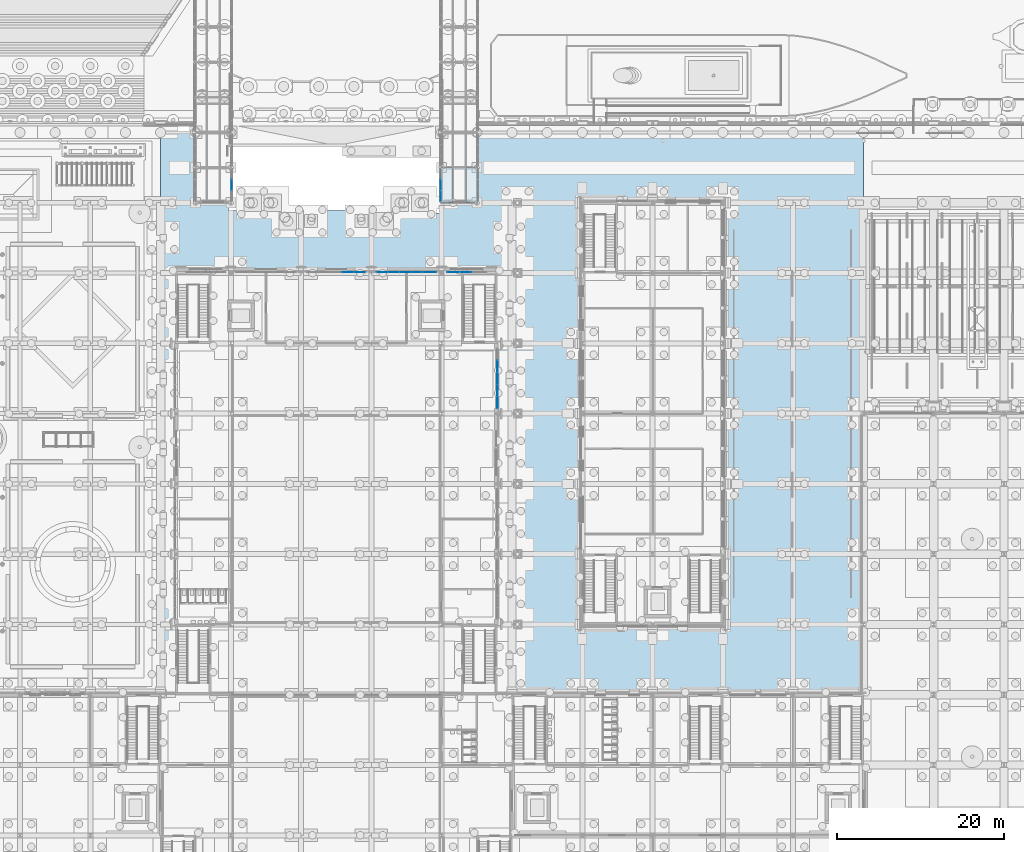
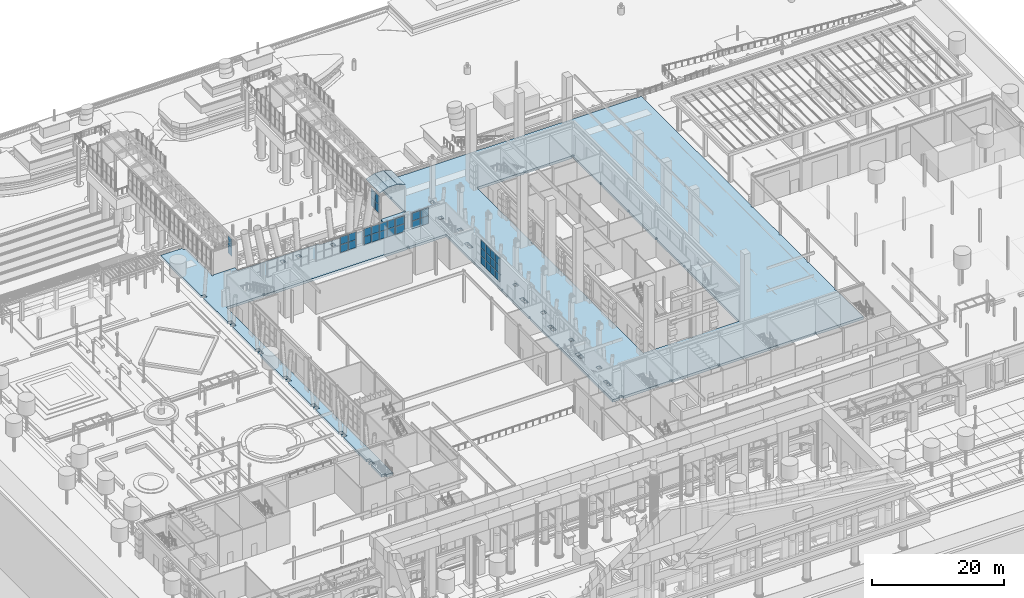
# One storey, part 80 of 222: 36 plates, 4 slabs, 7 elements without a shape of their own.
"""IFC4 building model written with IfcOpenShell, lengths in metres."""

from ifc_helpers import new_model, si_unit, direction, frame, origin, origin_2d, place, context, subcontext, project, spatial, polyline, rectangle, outline, extrude, material, layer, layer_set, type_object, element, aggregate, save


model = new_model("IFC4")

# Units and contexts
model_context = context("Model", 3, precision=1e-05, world=origin(), true_north=direction((0.0, 1.0)))
body_context = subcontext(model_context, "Body", "Model", "MODEL_VIEW")
ifc_project = project(units=[si_unit("LENGTHUNIT", "METRE"), si_unit("AREAUNIT", "SQUARE_METRE"), si_unit("VOLUMEUNIT", "CUBIC_METRE"), si_unit("PLANEANGLEUNIT", "RADIAN"), si_unit("MASSUNIT", "GRAM", prefix="KILO")], contexts=[model_context])

# Site, building, storey
site_placement = place(None, origin())
site = spatial("IfcSite", under=ifc_project, at=site_placement, CompositionType="ELEMENT")
building_placement = place(site_placement, origin())
building = spatial("IfcBuilding", under=site, at=building_placement, Name="Sava Quay Ferry Terminal", CompositionType="ELEMENT")
storey_placement = place(building_placement, origin())
storey = spatial("IfcBuildingStorey", under=building, at=storey_placement, Name="L00", CompositionType="ELEMENT", Elevation=0.0)

# Curtain wall, plates
ifc_material_1 = material(Name="Aluminium and glass curtain wall, double glazed", Category="aluminium")
curtain_wall_type_1 = type_object("IfcCurtainWallType", Name="Curtain wall CW-B gallery", PredefinedType="NOTDEFINED", material=ifc_material_1)
curtain_wall_1_placement = place(storey_placement, origin())
curtain_wall_1 = element("IfcCurtainWall", 1, at=curtain_wall_1_placement, inside=storey, type_object=curtain_wall_type_1, Name="Curtain wall B1-E L00 bay 1", PredefinedType="NOTDEFINED")
ifc_material_2 = material(Name="Laminated glass, double glazed unit", Category="glass")
ifc_layer_1 = layer(ifc_material_2, 0.02392578125)
ifc_layer_set_1 = layer_set([ifc_layer_1], Name="Laminated glass, double glazed unit")
plate_type_1 = type_object("IfcPlateType", Name="Glass panel 24 double", PredefinedType="CURTAIN_PANEL", material=ifc_layer_set_1)
plate_1_placement = place(storey_placement, frame((50.5, 111.300048828125, 0.9501953125), z_axis=(0.0, 0.0, 1.0), x_axis=(0.0, 1.0, 0.0)))
plate_1 = element("IfcPlate", 2, at=plate_1_placement, type_object=plate_type_1, Name="CW1 panel 2.1", PredefinedType="CURTAIN_PANEL", context=body_context, shape_type="SweptSolid", body=[
    extrude(rectangle(XDim=1.25, YDim=0.02392578125, at=origin_2d()), origin(), (0.0, 0.0, 1.0), 1.574951171875),
])
plate_2_placement = place(storey_placement, frame((50.5, 111.300048828125, 2.5751953125), z_axis=(0.0, 0.0, 1.0), x_axis=(0.0, 1.0, 0.0)))
plate_2 = element("IfcPlate", 3, at=plate_2_placement, type_object=plate_type_1, Name="CW1 panel 2.2", PredefinedType="CURTAIN_PANEL", context=body_context, shape_type="SweptSolid", body=[
    extrude(rectangle(XDim=1.25, YDim=0.02392578125, at=origin_2d()), origin(), (0.0, 0.0, 1.0), 1.574951171875),
])
aggregate(curtain_wall_1, [plate_1, plate_2])

curtain_wall_2_placement = place(storey_placement, origin())
curtain_wall_2 = element("IfcCurtainWall", 4, at=curtain_wall_2_placement, inside=storey, type_object=curtain_wall_type_1, Name="Curtain wall B2-W L00 bay 1", PredefinedType="NOTDEFINED")
plate_3_placement = place(storey_placement, frame((75.5, 110.012451171875, 0.9501953125), z_axis=(0.0, 0.0, 1.0), x_axis=(0.0, 1.0, 0.0)))
plate_3 = element("IfcPlate", 5, at=plate_3_placement, type_object=plate_type_1, Name="CW31 panel 1.1", PredefinedType="CURTAIN_PANEL", context=body_context, shape_type="SweptSolid", body=[
    extrude(rectangle(XDim=1.22509765625, YDim=0.02392578125, at=origin_2d()), origin(), (0.0, 0.0, 1.0), 1.574951171875),
])
plate_4_placement = place(storey_placement, frame((75.5, 110.012451171875, 2.5751953125), z_axis=(0.0, 0.0, 1.0), x_axis=(0.0, 1.0, 0.0)))
plate_4 = element("IfcPlate", 6, at=plate_4_placement, type_object=plate_type_1, Name="CW31 panel 1.2", PredefinedType="CURTAIN_PANEL", context=body_context, shape_type="SweptSolid", body=[
    extrude(rectangle(XDim=1.22509765625, YDim=0.02392578125, at=origin_2d()), origin(), (0.0, 0.0, 1.0), 1.574951171875),
])
plate_5_placement = place(storey_placement, frame((75.5, 111.300048828125, 0.9501953125), z_axis=(0.0, 0.0, 1.0), x_axis=(0.0, 1.0, 0.0)))
plate_5 = element("IfcPlate", 7, at=plate_5_placement, type_object=plate_type_1, Name="CW31 panel 2.1", PredefinedType="CURTAIN_PANEL", context=body_context, shape_type="SweptSolid", body=[
    extrude(rectangle(XDim=1.25, YDim=0.02392578125, at=origin_2d()), origin(), (0.0, 0.0, 1.0), 1.574951171875),
])
plate_6_placement = place(storey_placement, frame((75.5, 111.300048828125, 2.5751953125), z_axis=(0.0, 0.0, 1.0), x_axis=(0.0, 1.0, 0.0)))
plate_6 = element("IfcPlate", 8, at=plate_6_placement, type_object=plate_type_1, Name="CW31 panel 2.2", PredefinedType="CURTAIN_PANEL", context=body_context, shape_type="SweptSolid", body=[
    extrude(rectangle(XDim=1.25, YDim=0.02392578125, at=origin_2d()), origin(), (0.0, 0.0, 1.0), 1.574951171875),
])
aggregate(curtain_wall_2, [plate_3, plate_4, plate_5, plate_6])

ifc_material_3 = material(Name="Aluminium and glass curtain wall, double low-e glazed", Category="aluminium")
curtain_wall_type_2 = type_object("IfcCurtainWallType", Name="Curtain wall CW-F flank", PredefinedType="NOTDEFINED", material=ifc_material_3)
curtain_wall_3_placement = place(storey_placement, origin())
curtain_wall_3 = element("IfcCurtainWall", 9, at=curtain_wall_3_placement, inside=storey, type_object=curtain_wall_type_2, Name="Curtain wall D-E L00 bay 5", PredefinedType="NOTDEFINED")
ifc_material_4 = material(Name="Laminated glass, double low-e glazed unit", Category="glass")
ifc_layer_2 = layer(ifc_material_4, 0.028076171875)
ifc_layer_set_2 = layer_set([ifc_layer_2], Name="Laminated glass, double low-e glazed unit")
plate_type_2 = type_object("IfcPlateType", Name="Glass panel 28 double low-e", PredefinedType="CURTAIN_PANEL", material=ifc_layer_set_2)
plate_7_placement = place(storey_placement, frame((82.27490234375, 85.3349609375, 0.9501953125), z_axis=(0.0, 0.0, 1.0), x_axis=(0.0, 1.0, 0.0)))
plate_7 = element("IfcPlate", 10, at=plate_7_placement, type_object=plate_type_2, Name="CW51 panel 1.1", PredefinedType="CURTAIN_PANEL", context=body_context, shape_type="SweptSolid", body=[
    extrude(rectangle(XDim=1.35009765625, YDim=0.028076171875, at=origin_2d()), origin(), (0.0, 0.0, 1.0), 1.425048828125),
])
plate_8_placement = place(storey_placement, frame((82.27490234375, 85.3349609375, 2.4248046875), z_axis=(0.0, 0.0, 1.0), x_axis=(0.0, 1.0, 0.0)))
plate_8 = element("IfcPlate", 11, at=plate_8_placement, type_object=plate_type_2, Name="CW51 panel 1.2", PredefinedType="CURTAIN_PANEL", context=body_context, shape_type="SweptSolid", body=[
    extrude(rectangle(XDim=1.35009765625, YDim=0.028076171875, at=origin_2d()), origin(), (0.0, 0.0, 1.0), 1.449951171875),
])
plate_9_placement = place(storey_placement, frame((82.27490234375, 85.3349609375, 3.9248046875), z_axis=(0.0, 0.0, 1.0), x_axis=(0.0, 1.0, 0.0)))
plate_9 = element("IfcPlate", 12, at=plate_9_placement, type_object=plate_type_2, Name="CW51 panel 1.3", PredefinedType="CURTAIN_PANEL", context=body_context, shape_type="SweptSolid", body=[
    extrude(rectangle(XDim=1.35009765625, YDim=0.028076171875, at=origin_2d()), origin(), (0.0, 0.0, 1.0), 1.425048828125),
])
plate_10_placement = place(storey_placement, frame((82.27490234375, 86.760009765625, 0.9501953125), z_axis=(0.0, 0.0, 1.0), x_axis=(0.0, 1.0, 0.0)))
plate_10 = element("IfcPlate", 13, at=plate_10_placement, type_object=plate_type_2, Name="CW51 panel 2.1", PredefinedType="CURTAIN_PANEL", context=body_context, shape_type="SweptSolid", body=[
    extrude(rectangle(XDim=1.3798828125, YDim=0.028076171875, at=origin_2d()), origin(), (0.0, 0.0, 1.0), 1.425048828125),
])
plate_11_placement = place(storey_placement, frame((82.27490234375, 86.760009765625, 2.4248046875), z_axis=(0.0, 0.0, 1.0), x_axis=(0.0, 1.0, 0.0)))
plate_11 = element("IfcPlate", 14, at=plate_11_placement, type_object=plate_type_2, Name="CW51 panel 2.2", PredefinedType="CURTAIN_PANEL", context=body_context, shape_type="SweptSolid", body=[
    extrude(rectangle(XDim=1.3798828125, YDim=0.028076171875, at=origin_2d()), origin(), (0.0, 0.0, 1.0), 1.449951171875),
])
plate_12_placement = place(storey_placement, frame((82.27490234375, 86.760009765625, 3.9248046875), z_axis=(0.0, 0.0, 1.0), x_axis=(0.0, 1.0, 0.0)))
plate_12 = element("IfcPlate", 15, at=plate_12_placement, type_object=plate_type_2, Name="CW51 panel 2.3", PredefinedType="CURTAIN_PANEL", context=body_context, shape_type="SweptSolid", body=[
    extrude(rectangle(XDim=1.3798828125, YDim=0.028076171875, at=origin_2d()), origin(), (0.0, 0.0, 1.0), 1.425048828125),
])
plate_13_placement = place(storey_placement, frame((82.27490234375, 88.199951171875, 0.9501953125), z_axis=(0.0, 0.0, 1.0), x_axis=(0.0, 1.0, 0.0)))
plate_13 = element("IfcPlate", 16, at=plate_13_placement, type_object=plate_type_2, Name="CW51 panel 3.1", PredefinedType="CURTAIN_PANEL", context=body_context, shape_type="SweptSolid", body=[
    extrude(rectangle(XDim=1.3798828125, YDim=0.028076171875, at=origin_2d()), origin(), (0.0, 0.0, 1.0), 1.425048828125),
])
plate_14_placement = place(storey_placement, frame((82.27490234375, 88.199951171875, 2.4248046875), z_axis=(0.0, 0.0, 1.0), x_axis=(0.0, 1.0, 0.0)))
plate_14 = element("IfcPlate", 17, at=plate_14_placement, type_object=plate_type_2, Name="CW51 panel 3.2", PredefinedType="CURTAIN_PANEL", context=body_context, shape_type="SweptSolid", body=[
    extrude(rectangle(XDim=1.3798828125, YDim=0.028076171875, at=origin_2d()), origin(), (0.0, 0.0, 1.0), 1.449951171875),
])
plate_15_placement = place(storey_placement, frame((82.27490234375, 88.199951171875, 3.9248046875), z_axis=(0.0, 0.0, 1.0), x_axis=(0.0, 1.0, 0.0)))
plate_15 = element("IfcPlate", 18, at=plate_15_placement, type_object=plate_type_2, Name="CW51 panel 3.3", PredefinedType="CURTAIN_PANEL", context=body_context, shape_type="SweptSolid", body=[
    extrude(rectangle(XDim=1.3798828125, YDim=0.028076171875, at=origin_2d()), origin(), (0.0, 0.0, 1.0), 1.425048828125),
])
plate_16_placement = place(storey_placement, frame((82.27490234375, 89.639892578125, 0.9501953125), z_axis=(0.0, 0.0, 1.0), x_axis=(0.0, 1.0, 0.0)))
plate_16 = element("IfcPlate", 19, at=plate_16_placement, type_object=plate_type_2, Name="CW51 panel 4.1", PredefinedType="CURTAIN_PANEL", context=body_context, shape_type="SweptSolid", body=[
    extrude(rectangle(XDim=1.3798828125, YDim=0.028076171875, at=origin_2d()), origin(), (0.0, 0.0, 1.0), 1.425048828125),
])
plate_17_placement = place(storey_placement, frame((82.27490234375, 89.639892578125, 2.4248046875), z_axis=(0.0, 0.0, 1.0), x_axis=(0.0, 1.0, 0.0)))
plate_17 = element("IfcPlate", 20, at=plate_17_placement, type_object=plate_type_2, Name="CW51 panel 4.2", PredefinedType="CURTAIN_PANEL", context=body_context, shape_type="SweptSolid", body=[
    extrude(rectangle(XDim=1.3798828125, YDim=0.028076171875, at=origin_2d()), origin(), (0.0, 0.0, 1.0), 1.449951171875),
])
plate_18_placement = place(storey_placement, frame((82.27490234375, 89.639892578125, 3.9248046875), z_axis=(0.0, 0.0, 1.0), x_axis=(0.0, 1.0, 0.0)))
plate_18 = element("IfcPlate", 21, at=plate_18_placement, type_object=plate_type_2, Name="CW51 panel 4.3", PredefinedType="CURTAIN_PANEL", context=body_context, shape_type="SweptSolid", body=[
    extrude(rectangle(XDim=1.3798828125, YDim=0.028076171875, at=origin_2d()), origin(), (0.0, 0.0, 1.0), 1.425048828125),
])
aggregate(curtain_wall_3, [plate_7, plate_8, plate_9, plate_10, plate_11, plate_12, plate_13, plate_14, plate_15, plate_16, plate_17, plate_18])

ifc_material_5 = material(Name="Aluminium and glass curtain wall, double low-e glazed", Category="aluminium")
curtain_wall_type_3 = type_object("IfcCurtainWallType", Name="Curtain wall CW-G gable", PredefinedType="NOTDEFINED", material=ifc_material_5)
curtain_wall_4_placement = place(storey_placement, origin())
curtain_wall_4 = element("IfcCurtainWall", 22, at=curtain_wall_4_placement, inside=storey, type_object=curtain_wall_type_3, Name="Curtain wall D-N L00 bay 31", PredefinedType="NOTDEFINED")
plate_19_placement = place(storey_placement, frame((64.412109375, 100.885009765625, 3.0498046875), z_axis=(0.0, 0.0, 1.0), x_axis=(1.0, 0.0, 0.0)))
plate_19 = element("IfcPlate", 23, at=plate_19_placement, type_object=plate_type_2, Name="CW69 panel 4.1", PredefinedType="CURTAIN_PANEL", context=body_context, shape_type="SweptSolid", body=[
    extrude(rectangle(XDim=1.35205078125, YDim=0.028076171875, at=origin_2d()), origin(), (0.0, 0.0, 1.0), 1.425048828125),
])
plate_20_placement = place(storey_placement, frame((64.412109375, 100.885009765625, 4.52490234375), z_axis=(0.0, 0.0, 1.0), x_axis=(1.0, 0.0, 0.0)))
plate_20 = element("IfcPlate", 24, at=plate_20_placement, type_object=plate_type_2, Name="CW69 panel 4.2", PredefinedType="CURTAIN_PANEL", context=body_context, shape_type="SweptSolid", body=[
    extrude(rectangle(XDim=1.35205078125, YDim=0.028076171875, at=origin_2d()), origin(), (0.0, 0.0, 1.0), 1.425048828125),
])
plate_21_placement = place(storey_placement, frame((65.80908203125, 100.885009765625, 3.0498046875), z_axis=(0.0, 0.0, 1.0), x_axis=(1.0, 0.0, 0.0)))
plate_21 = element("IfcPlate", 25, at=plate_21_placement, type_object=plate_type_2, Name="CW69 panel 5.1", PredefinedType="CURTAIN_PANEL", context=body_context, shape_type="SweptSolid", body=[
    extrude(rectangle(XDim=1.322021484375, YDim=0.028076171875, at=origin_2d()), origin(), (0.0, 0.0, 1.0), 1.425048828125),
])
plate_22_placement = place(storey_placement, frame((65.80908203125, 100.885009765625, 4.52490234375), z_axis=(0.0, 0.0, 1.0), x_axis=(1.0, 0.0, 0.0)))
plate_22 = element("IfcPlate", 26, at=plate_22_placement, type_object=plate_type_2, Name="CW69 panel 5.2", PredefinedType="CURTAIN_PANEL", context=body_context, shape_type="SweptSolid", body=[
    extrude(rectangle(XDim=1.322021484375, YDim=0.028076171875, at=origin_2d()), origin(), (0.0, 0.0, 1.0), 1.425048828125),
])
aggregate(curtain_wall_4, [plate_19, plate_20, plate_21, plate_22])

curtain_wall_5_placement = place(storey_placement, origin())
curtain_wall_5 = element("IfcCurtainWall", 27, at=curtain_wall_5_placement, inside=storey, type_object=curtain_wall_type_3, Name="Curtain wall D-N L00 bay 41", PredefinedType="NOTDEFINED")
plate_23_placement = place(storey_placement, frame((68.50244140625, 100.885009765625, 3.0498046875), z_axis=(0.0, 0.0, 1.0), x_axis=(1.0, 0.0, 0.0)))
plate_23 = element("IfcPlate", 28, at=plate_23_placement, type_object=plate_type_2, Name="CW73 panel 1.1", PredefinedType="CURTAIN_PANEL", context=body_context, shape_type="SweptSolid", body=[
    extrude(rectangle(XDim=1.284912109375, YDim=0.028076171875, at=origin_2d()), origin(), (0.0, 0.0, 1.0), 1.425048828125),
])
plate_24_placement = place(storey_placement, frame((68.50244140625, 100.885009765625, 4.52490234375), z_axis=(0.0, 0.0, 1.0), x_axis=(1.0, 0.0, 0.0)))
plate_24 = element("IfcPlate", 29, at=plate_24_placement, type_object=plate_type_2, Name="CW73 panel 1.2", PredefinedType="CURTAIN_PANEL", context=body_context, shape_type="SweptSolid", body=[
    extrude(rectangle(XDim=1.284912109375, YDim=0.028076171875, at=origin_2d()), origin(), (0.0, 0.0, 1.0), 1.425048828125),
])
plate_25_placement = place(storey_placement, frame((69.862548828125, 100.885009765625, 3.0498046875), z_axis=(0.0, 0.0, 1.0), x_axis=(1.0, 0.0, 0.0)))
plate_25 = element("IfcPlate", 30, at=plate_25_placement, type_object=plate_type_2, Name="CW73 panel 2.1", PredefinedType="CURTAIN_PANEL", context=body_context, shape_type="SweptSolid", body=[
    extrude(rectangle(XDim=1.31494140625, YDim=0.028076171875, at=origin_2d()), origin(), (0.0, 0.0, 1.0), 1.425048828125),
])
plate_26_placement = place(storey_placement, frame((69.862548828125, 100.885009765625, 4.52490234375), z_axis=(0.0, 0.0, 1.0), x_axis=(1.0, 0.0, 0.0)))
plate_26 = element("IfcPlate", 31, at=plate_26_placement, type_object=plate_type_2, Name="CW73 panel 2.2", PredefinedType="CURTAIN_PANEL", context=body_context, shape_type="SweptSolid", body=[
    extrude(rectangle(XDim=1.31494140625, YDim=0.028076171875, at=origin_2d()), origin(), (0.0, 0.0, 1.0), 1.425048828125),
])
plate_27_placement = place(storey_placement, frame((71.237548828125, 100.885009765625, 3.0498046875), z_axis=(0.0, 0.0, 1.0), x_axis=(1.0, 0.0, 0.0)))
plate_27 = element("IfcPlate", 32, at=plate_27_placement, type_object=plate_type_2, Name="CW73 panel 3.1", PredefinedType="CURTAIN_PANEL", context=body_context, shape_type="SweptSolid", body=[
    extrude(rectangle(XDim=1.31494140625, YDim=0.028076171875, at=origin_2d()), origin(), (0.0, 0.0, 1.0), 1.425048828125),
])
plate_28_placement = place(storey_placement, frame((71.237548828125, 100.885009765625, 4.52490234375), z_axis=(0.0, 0.0, 1.0), x_axis=(1.0, 0.0, 0.0)))
plate_28 = element("IfcPlate", 33, at=plate_28_placement, type_object=plate_type_2, Name="CW73 panel 3.2", PredefinedType="CURTAIN_PANEL", context=body_context, shape_type="SweptSolid", body=[
    extrude(rectangle(XDim=1.31494140625, YDim=0.028076171875, at=origin_2d()), origin(), (0.0, 0.0, 1.0), 1.425048828125),
])
plate_29_placement = place(storey_placement, frame((72.597412109375, 100.885009765625, 3.0498046875), z_axis=(0.0, 0.0, 1.0), x_axis=(1.0, 0.0, 0.0)))
plate_29 = element("IfcPlate", 34, at=plate_29_placement, type_object=plate_type_2, Name="CW73 panel 4.1", PredefinedType="CURTAIN_PANEL", context=body_context, shape_type="SweptSolid", body=[
    extrude(rectangle(XDim=1.284912109375, YDim=0.028076171875, at=origin_2d()), origin(), (0.0, 0.0, 1.0), 1.425048828125),
])
plate_30_placement = place(storey_placement, frame((72.597412109375, 100.885009765625, 4.52490234375), z_axis=(0.0, 0.0, 1.0), x_axis=(1.0, 0.0, 0.0)))
plate_30 = element("IfcPlate", 35, at=plate_30_placement, type_object=plate_type_2, Name="CW73 panel 4.2", PredefinedType="CURTAIN_PANEL", context=body_context, shape_type="SweptSolid", body=[
    extrude(rectangle(XDim=1.284912109375, YDim=0.028076171875, at=origin_2d()), origin(), (0.0, 0.0, 1.0), 1.425048828125),
])
aggregate(curtain_wall_5, [plate_23, plate_24, plate_25, plate_26, plate_27, plate_28, plate_29, plate_30])

curtain_wall_6_placement = place(storey_placement, origin())
curtain_wall_6 = element("IfcCurtainWall", 36, at=curtain_wall_6_placement, inside=storey, type_object=curtain_wall_type_3, Name="Curtain wall D-N L00 bay 51", PredefinedType="NOTDEFINED")
plate_31_placement = place(storey_placement, frame((74.14990234375, 100.885009765625, 3.0498046875), z_axis=(0.0, 0.0, 1.0), x_axis=(1.0, 0.0, 0.0)))
plate_31 = element("IfcPlate", 37, at=plate_31_placement, type_object=plate_type_2, Name="CW77 panel 1.1", PredefinedType="CURTAIN_PANEL", context=body_context, shape_type="SweptSolid", body=[
    extrude(rectangle(XDim=1.580078125, YDim=0.028076171875, at=origin_2d()), origin(), (0.0, 0.0, 1.0), 1.425048828125),
])
plate_32_placement = place(storey_placement, frame((74.14990234375, 100.885009765625, 4.52490234375), z_axis=(0.0, 0.0, 1.0), x_axis=(1.0, 0.0, 0.0)))
plate_32 = element("IfcPlate", 38, at=plate_32_placement, type_object=plate_type_2, Name="CW77 panel 1.2", PredefinedType="CURTAIN_PANEL", context=body_context, shape_type="SweptSolid", body=[
    extrude(rectangle(XDim=1.580078125, YDim=0.028076171875, at=origin_2d()), origin(), (0.0, 0.0, 1.0), 1.425048828125),
])
aggregate(curtain_wall_6, [plate_31, plate_32])

curtain_wall_7_placement = place(storey_placement, origin())
curtain_wall_7 = element("IfcCurtainWall", 39, at=curtain_wall_7_placement, inside=storey, type_object=curtain_wall_type_3, Name="Curtain wall D-N L00 bay 52", PredefinedType="NOTDEFINED")
plate_33_placement = place(storey_placement, frame((76.969970703125, 100.885009765625, 3.0498046875), z_axis=(0.0, 0.0, 1.0), x_axis=(1.0, 0.0, 0.0)))
plate_33 = element("IfcPlate", 40, at=plate_33_placement, type_object=plate_type_2, Name="CW81 panel 1.1", PredefinedType="CURTAIN_PANEL", context=body_context, shape_type="SweptSolid", body=[
    extrude(rectangle(XDim=1.419921875, YDim=0.028076171875, at=origin_2d()), origin(), (0.0, 0.0, 1.0), 1.425048828125),
])
plate_34_placement = place(storey_placement, frame((76.969970703125, 100.885009765625, 4.52490234375), z_axis=(0.0, 0.0, 1.0), x_axis=(1.0, 0.0, 0.0)))
plate_34 = element("IfcPlate", 41, at=plate_34_placement, type_object=plate_type_2, Name="CW81 panel 1.2", PredefinedType="CURTAIN_PANEL", context=body_context, shape_type="SweptSolid", body=[
    extrude(rectangle(XDim=1.419921875, YDim=0.028076171875, at=origin_2d()), origin(), (0.0, 0.0, 1.0), 1.425048828125),
])
plate_35_placement = place(storey_placement, frame((78.449951171875, 100.885009765625, 3.0498046875), z_axis=(0.0, 0.0, 1.0), x_axis=(1.0, 0.0, 0.0)))
plate_35 = element("IfcPlate", 42, at=plate_35_placement, type_object=plate_type_2, Name="CW81 panel 2.1", PredefinedType="CURTAIN_PANEL", context=body_context, shape_type="SweptSolid", body=[
    extrude(rectangle(XDim=1.419921875, YDim=0.028076171875, at=origin_2d()), origin(), (0.0, 0.0, 1.0), 1.425048828125),
])
plate_36_placement = place(storey_placement, frame((78.449951171875, 100.885009765625, 4.52490234375), z_axis=(0.0, 0.0, 1.0), x_axis=(1.0, 0.0, 0.0)))
plate_36 = element("IfcPlate", 43, at=plate_36_placement, type_object=plate_type_2, Name="CW81 panel 2.2", PredefinedType="CURTAIN_PANEL", context=body_context, shape_type="SweptSolid", body=[
    extrude(rectangle(XDim=1.419921875, YDim=0.028076171875, at=origin_2d()), origin(), (0.0, 0.0, 1.0), 1.425048828125),
])
aggregate(curtain_wall_7, [plate_33, plate_34, plate_35, plate_36])

# Slabs
ifc_material_6 = material(Name="Concrete C40/50", Category="concrete")
ifc_layer_3 = layer(ifc_material_6, 0.449951171875)
ifc_layer_set_3 = layer_set([ifc_layer_3], Name="Concrete C40/50")
slab_type_1 = type_object("IfcSlabType", Name="RC deck slab 450", PredefinedType="FLOOR", material=ifc_layer_set_3)
slab_1_placement = place(storey_placement, frame((0.0, 0.0, -0.449951171875)))
element("IfcSlab", 44, at=slab_1_placement, inside=storey, type_object=slab_type_1, Name="Quay deck slab", PredefinedType="FLOOR", context=body_context, shape_type="SweptSolid", body=[
    extrude(outline(polyline([(121.800048828125, 50.39990234375), (117.760009765625, 50.39990234375), (117.760009765625, 50.570068359375), (117.43994140625, 50.570068359375), (117.43994140625, 50.39990234375), (109.199951171875, 50.39990234375), (105.0, 50.39990234375), (100.9599609375, 50.39990234375), (100.9599609375, 50.570068359375), (100.639892578125, 50.570068359375), (100.639892578125, 50.39990234375), (92.56005859375, 50.39990234375), (92.56005859375, 50.570068359375), (92.239990234375, 50.570068359375), (92.239990234375, 50.39990234375), (88.199951171875, 50.39990234375), (84.050048828125, 50.39990234375), (84.050048828125, 50.75), (83.35009765625, 50.75), (83.35009765625, 50.39990234375), (82.199951171875, 50.39990234375), (82.199951171875, 58.800048828125), (82.199951171875, 67.070068359375), (82.330078125, 67.070068359375), (82.330078125, 67.330078125), (82.199951171875, 67.330078125), (82.199951171875, 75.469970703125), (82.330078125, 75.469970703125), (82.330078125, 75.72998046875), (82.199951171875, 75.72998046875), (82.199951171875, 83.8701171875), (82.330078125, 83.8701171875), (82.330078125, 84.1298828125), (82.199951171875, 84.1298828125), (82.199951171875, 92.39990234375), (82.199951171875, 100.800048828125), (78.0, 100.800048828125), (75.760009765625, 100.800048828125), (75.760009765625, 101.010009765625), (75.43994140625, 101.010009765625), (75.43994140625, 100.800048828125), (50.56005859375, 100.800048828125), (50.56005859375, 101.010009765625), (50.239990234375, 101.010009765625), (50.239990234375, 100.800048828125), (48.0, 100.800048828125), (43.800048828125, 100.800048828125), (43.800048828125, 92.39990234375), (43.800048828125, 84.1298828125), (43.669921875, 84.1298828125), (43.669921875, 83.8701171875), (43.800048828125, 83.8701171875), (43.800048828125, 75.72998046875), (43.669921875, 75.72998046875), (43.669921875, 75.469970703125), (43.800048828125, 75.469970703125), (43.800048828125, 67.330078125), (43.669921875, 67.330078125), (43.669921875, 67.070068359375), (43.800048828125, 67.070068359375), (43.800048828125, 58.800048828125), (43.800048828125, 50.39990234375), (42.64990234375, 50.39990234375), (42.64990234375, 50.75), (42.0, 50.75), (42.0, 53.85009765625), (42.64990234375, 53.85009765625), (42.64990234375, 54.550048828125), (42.0, 54.550048828125), (42.0, 54.64990234375), (42.64990234375, 54.64990234375), (42.64990234375, 55.35009765625), (42.0, 55.35009765625), (42.0, 62.25), (42.64990234375, 62.25), (42.64990234375, 62.949951171875), (42.0, 62.949951171875), (42.0, 63.050048828125), (42.64990234375, 63.050048828125), (42.64990234375, 63.75), (42.0, 63.75), (42.0, 70.64990234375), (42.64990234375, 70.64990234375), (42.64990234375, 71.35009765625), (42.0, 71.35009765625), (42.0, 71.449951171875), (42.64990234375, 71.449951171875), (42.64990234375, 72.14990234375), (42.0, 72.14990234375), (42.0, 79.050048828125), (42.64990234375, 79.050048828125), (42.64990234375, 79.75), (42.0, 79.75), (42.0, 79.85009765625), (42.64990234375, 79.85009765625), (42.64990234375, 80.550048828125), (42.0, 80.550048828125), (42.0, 87.449951171875), (42.64990234375, 87.449951171875), (42.64990234375, 88.14990234375), (42.0, 88.14990234375), (42.0, 88.25), (42.64990234375, 88.25), (42.64990234375, 88.949951171875), (42.0, 88.949951171875), (42.0, 95.85009765625), (42.64990234375, 95.85009765625), (42.64990234375, 96.550048828125), (42.0, 96.550048828125), (42.0, 96.64990234375), (42.64990234375, 96.64990234375), (42.64990234375, 97.35009765625), (42.0, 97.35009765625), (42.0, 104.64990234375), (42.64990234375, 104.64990234375), (42.64990234375, 105.35009765625), (42.0, 105.35009765625), (42.0, 117.60009765625), (45.780029296875, 117.60009765625), (45.780029296875, 117.179931640625), (46.199951171875, 117.179931640625), (46.199951171875, 113.550048828125), (46.050048828125, 113.550048828125), (46.050048828125, 113.25), (46.199951171875, 113.25), (46.199951171875, 109.35009765625), (46.050048828125, 109.35009765625), (46.050048828125, 109.050048828125), (46.35009765625, 109.050048828125), (46.35009765625, 109.199951171875), (50.10009765625, 109.199951171875), (50.10009765625, 108.300048828125), (64.199951171875, 108.300048828125), (64.199951171875, 108.0), (75.60009765625, 108.0), (75.60009765625, 109.050048828125), (75.75, 109.050048828125), (75.75, 109.199951171875), (79.64990234375, 109.199951171875), (79.64990234375, 109.050048828125), (79.949951171875, 109.050048828125), (79.949951171875, 109.35009765625), (79.800048828125, 109.35009765625), (79.800048828125, 113.25), (79.949951171875, 113.25), (79.949951171875, 113.550048828125), (79.800048828125, 113.550048828125), (79.800048828125, 117.179931640625), (80.219970703125, 117.179931640625), (80.219970703125, 117.60009765625), (126.0, 117.60009765625), (126.0, 84.169921875), (125.840087890625, 84.169921875), (125.840087890625, 83.830078125), (126.0, 83.830078125), (126.0, 75.77001953125), (125.840087890625, 75.77001953125), (125.840087890625, 75.429931640625), (126.0, 75.429931640625), (126.0, 67.3701171875), (125.840087890625, 67.3701171875), (125.840087890625, 67.030029296875), (126.0, 67.030029296875), (126.0, 58.969970703125), (125.840087890625, 58.969970703125), (125.840087890625, 58.6298828125), (126.0, 58.6298828125), (126.0, 50.39990234375), (121.800048828125, 50.39990234375)]), holes=[polyline([(92.39990234375, 92.570068359375), (92.239990234375, 92.570068359375), (92.239990234375, 92.22998046875), (92.39990234375, 92.22998046875), (92.39990234375, 84.169921875), (92.239990234375, 84.169921875), (92.239990234375, 83.830078125), (92.39990234375, 83.830078125), (92.39990234375, 75.77001953125), (92.239990234375, 75.77001953125), (92.239990234375, 75.429931640625), (92.39990234375, 75.429931640625), (92.39990234375, 67.199951171875), (92.39990234375, 58.800048828125), (96.60009765625, 58.800048828125), (100.639892578125, 58.800048828125), (100.639892578125, 58.6298828125), (100.9599609375, 58.6298828125), (100.9599609375, 58.800048828125), (105.0, 58.800048828125), (109.199951171875, 58.800048828125), (109.199951171875, 67.199951171875), (109.199951171875, 75.429931640625), (109.360107421875, 75.429931640625), (109.360107421875, 75.77001953125), (109.199951171875, 75.77001953125), (109.199951171875, 83.830078125), (109.360107421875, 83.830078125), (109.360107421875, 84.169921875), (109.199951171875, 84.169921875), (109.199951171875, 92.22998046875), (109.360107421875, 92.22998046875), (109.360107421875, 92.570068359375), (109.199951171875, 92.570068359375), (109.199951171875, 100.6298828125), (109.360107421875, 100.6298828125), (109.360107421875, 100.969970703125), (109.199951171875, 100.969970703125), (109.199951171875, 109.030029296875), (109.360107421875, 109.030029296875), (109.360107421875, 109.3701171875), (109.0400390625, 109.3701171875), (109.0400390625, 109.199951171875), (100.9599609375, 109.199951171875), (100.9599609375, 109.3701171875), (100.639892578125, 109.3701171875), (100.639892578125, 109.199951171875), (96.60009765625, 109.199951171875), (92.39990234375, 109.199951171875), (92.39990234375, 100.800048828125), (92.39990234375, 92.570068359375)]), polyline([(56.85009765625, 107.35009765625), (56.85009765625, 106.64990234375), (57.550048828125, 106.64990234375), (57.550048828125, 107.35009765625), (56.85009765625, 107.35009765625)]), polyline([(59.64990234375, 107.35009765625), (59.64990234375, 106.64990234375), (60.35009765625, 106.64990234375), (60.35009765625, 107.35009765625), (59.64990234375, 107.35009765625)]), polyline([(65.64990234375, 106.64990234375), (66.35009765625, 106.64990234375), (66.35009765625, 107.35009765625), (65.64990234375, 107.35009765625), (65.64990234375, 106.64990234375)]), polyline([(68.449951171875, 107.35009765625), (68.449951171875, 106.64990234375), (69.14990234375, 106.64990234375), (69.14990234375, 107.35009765625), (68.449951171875, 107.35009765625)]), polyline([(83.35009765625, 54.550048828125), (83.35009765625, 53.85009765625), (84.050048828125, 53.85009765625), (84.050048828125, 54.550048828125), (83.35009765625, 54.550048828125)]), polyline([(83.35009765625, 55.35009765625), (83.35009765625, 54.64990234375), (84.050048828125, 54.64990234375), (84.050048828125, 55.35009765625), (83.35009765625, 55.35009765625)]), polyline([(84.300048828125, 59.14990234375), (84.300048828125, 58.449951171875), (85.0, 58.449951171875), (85.0, 59.14990234375), (84.300048828125, 59.14990234375)]), polyline([(83.35009765625, 62.949951171875), (83.35009765625, 62.25), (84.050048828125, 62.25), (84.050048828125, 62.949951171875), (83.35009765625, 62.949951171875)]), polyline([(83.35009765625, 63.050048828125), (84.050048828125, 63.050048828125), (84.050048828125, 63.75), (83.35009765625, 63.75), (83.35009765625, 63.050048828125)]), polyline([(84.300048828125, 67.550048828125), (84.300048828125, 66.85009765625), (85.0, 66.85009765625), (85.0, 67.550048828125), (84.300048828125, 67.550048828125)]), polyline([(83.35009765625, 71.35009765625), (83.35009765625, 70.64990234375), (84.050048828125, 70.64990234375), (84.050048828125, 71.35009765625), (83.35009765625, 71.35009765625)]), polyline([(83.35009765625, 72.14990234375), (83.35009765625, 71.449951171875), (84.050048828125, 71.449951171875), (84.050048828125, 72.14990234375), (83.35009765625, 72.14990234375)]), polyline([(84.300048828125, 75.25), (85.0, 75.25), (85.0, 75.949951171875), (84.300048828125, 75.949951171875), (84.300048828125, 75.25)]), polyline([(83.35009765625, 79.75), (83.35009765625, 79.050048828125), (84.050048828125, 79.050048828125), (84.050048828125, 79.75), (83.35009765625, 79.75)]), polyline([(83.35009765625, 80.550048828125), (83.35009765625, 79.85009765625), (84.050048828125, 79.85009765625), (84.050048828125, 80.550048828125), (83.35009765625, 80.550048828125)]), polyline([(84.300048828125, 84.35009765625), (84.300048828125, 83.64990234375), (85.0, 83.64990234375), (85.0, 84.35009765625), (84.300048828125, 84.35009765625)]), polyline([(83.35009765625, 87.449951171875), (84.050048828125, 87.449951171875), (84.050048828125, 88.14990234375), (83.35009765625, 88.14990234375), (83.35009765625, 87.449951171875)]), polyline([(83.35009765625, 88.949951171875), (83.35009765625, 88.25), (84.050048828125, 88.25), (84.050048828125, 88.949951171875), (83.35009765625, 88.949951171875)]), polyline([(84.300048828125, 92.75), (84.300048828125, 92.050048828125), (85.0, 92.050048828125), (85.0, 92.75), (84.300048828125, 92.75)]), polyline([(83.35009765625, 96.550048828125), (83.35009765625, 95.85009765625), (84.050048828125, 95.85009765625), (84.050048828125, 96.550048828125), (83.35009765625, 96.550048828125)]), polyline([(83.35009765625, 97.35009765625), (83.35009765625, 96.64990234375), (84.050048828125, 96.64990234375), (84.050048828125, 97.35009765625), (83.35009765625, 97.35009765625)]), polyline([(84.300048828125, 100.449951171875), (85.0, 100.449951171875), (85.0, 101.14990234375), (84.300048828125, 101.14990234375), (84.300048828125, 100.449951171875)]), polyline([(83.35009765625, 105.35009765625), (83.35009765625, 104.64990234375), (84.050048828125, 104.64990234375), (84.050048828125, 105.35009765625), (83.35009765625, 105.35009765625)]), polyline([(84.300048828125, 109.550048828125), (84.300048828125, 108.85009765625), (85.0, 108.85009765625), (85.0, 109.550048828125), (84.300048828125, 109.550048828125)])]), origin(), (0.0, 0.0, 1.0), 0.449951171875),
])
ifc_material_7 = material(Name="Cross laminated timber C24", Category="wood")
ifc_layer_4 = layer(ifc_material_7, 0.10009765625)
ifc_layer_set_4 = layer_set([ifc_layer_4], Name="Cross laminated timber C24")
slab_type_2 = type_object("IfcSlabType", Name="Roof deck CLT 100", PredefinedType="ROOF", material=ifc_layer_set_4)
slab_2_placement = place(storey_placement, frame((75.44970703125, 109.2099609375, 4.942138671875), z_axis=(-0.342065251979, 0.0, 0.939676201353), x_axis=(0.939676201353, 0.0, 0.342065251979)))
element("IfcSlab", 45, at=slab_2_placement, inside=storey, type_object=slab_type_2, Name="Boarding gallery B2 roof deck bay 1 facet 1", PredefinedType="ROOF", context=body_context, shape_type="SweptSolid", body=[
    extrude(outline(polyline([(0.0, 0.0), (1.5209486168666146, 0.0), (1.5209486168666146, 4.179931640625), (0.0, 4.179931640625), (0.0, 0.0)])), origin(), (0.0, 0.0, -1.0), 0.10009765625),
])
slab_3_placement = place(storey_placement, frame((76.8984375, 109.2099609375, 5.4658203125), z_axis=(0.0, 0.0, 1.0), x_axis=(1.0, 0.0, 0.0)))
element("IfcSlab", 46, at=slab_3_placement, inside=storey, type_object=slab_type_2, Name="Boarding gallery B2 roof deck bay 1 facet 2", PredefinedType="ROOF", context=body_context, shape_type="SweptSolid", body=[
    extrude(outline(polyline([(0.0, 0.0), (1.603271484375, 0.0), (1.603271484375, 4.179931640625), (0.0, 4.179931640625), (0.0, 0.0)])), origin(), (0.0, 0.0, -1.0), 0.10009765625),
])
slab_4_placement = place(storey_placement, frame((78.52099609375, 109.2099609375, 5.46240234375), z_axis=(0.342065251979, 0.0, 0.939676201353), x_axis=(0.939676201353, 0.0, -0.342065251979)))
element("IfcSlab", 47, at=slab_4_placement, inside=storey, type_object=slab_type_2, Name="Boarding gallery B2 roof deck bay 1 facet 3", PredefinedType="ROOF", context=body_context, shape_type="SweptSolid", body=[
    extrude(outline(polyline([(0.0, 0.0), (1.5209486168666146, 0.0), (1.5209486168666146, 4.179931640625), (0.0, 4.179931640625), (0.0, 0.0)])), origin(), (0.0, 0.0, -1.0), 0.10009765625),
])

save(model, "model.ifc")
